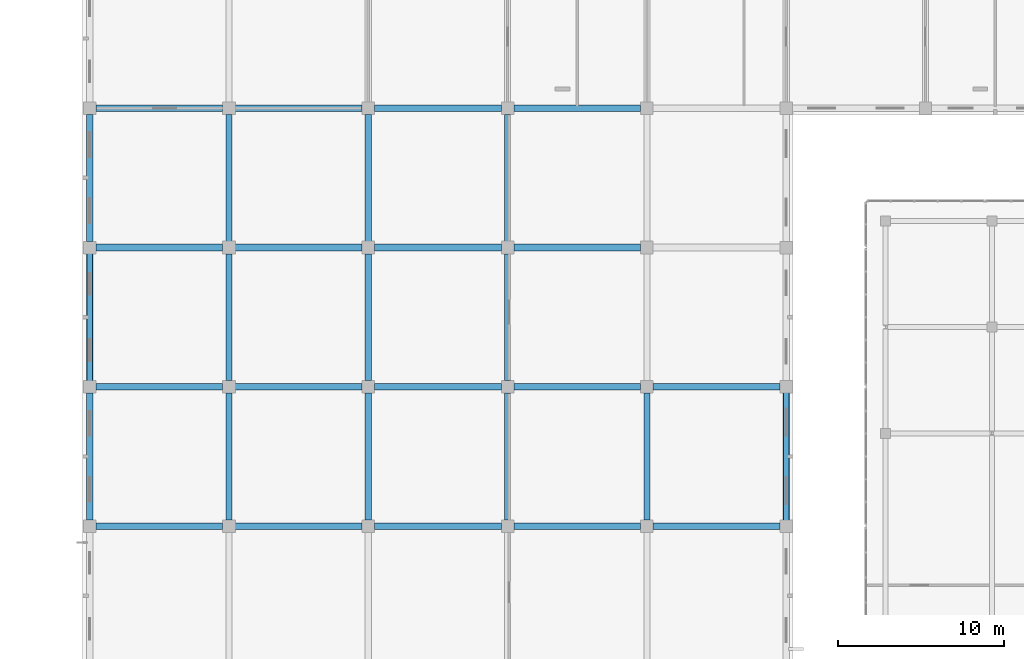
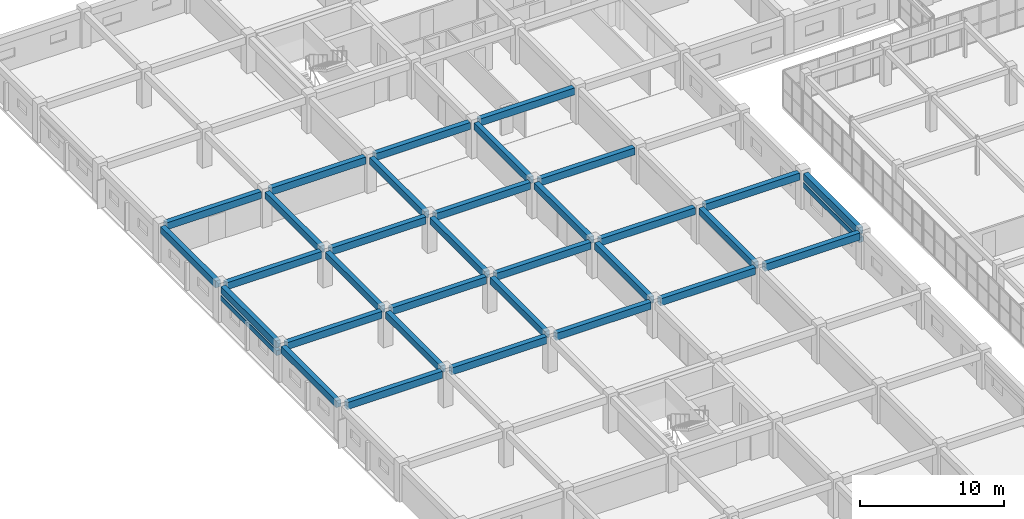
# One storey, part 78 of 200: 34 beams.
"""IFC4 building model written with IfcOpenShell, lengths in metres."""

from ifc_helpers import new_model, si_unit, direction, frame, origin, origin_2d, place, context, subcontext, project, spatial, rectangle, extrude, material, material_profile, profile_set, type_object, element, save


model = new_model("IFC4")

# Units and contexts
model_context = context("Model", 3, precision=1e-05, world=origin(), true_north=direction((0.0, 1.0)))
body_context = subcontext(model_context, "Body", "Model", "MODEL_VIEW")
ifc_project = project(units=[si_unit("LENGTHUNIT", "METRE"), si_unit("AREAUNIT", "SQUARE_METRE"), si_unit("VOLUMEUNIT", "CUBIC_METRE"), si_unit("PLANEANGLEUNIT", "RADIAN"), si_unit("MASSUNIT", "GRAM", prefix="KILO")], contexts=[model_context])

# Site, building, storey
site_placement = place(None, origin())
site = spatial("IfcSite", under=ifc_project, at=site_placement, CompositionType="ELEMENT")
building_placement = place(site_placement, origin())
building = spatial("IfcBuilding", under=site, at=building_placement, Name="Trelvath General Hospital", CompositionType="ELEMENT")
storey_placement = place(building_placement, frame((0.0, 0.0, 4.800048828125)))
storey = spatial("IfcBuildingStorey", under=building, at=storey_placement, Name="L01", CompositionType="ELEMENT", Elevation=4.800048828125)

# Beams
ifc_material_1 = material(Name="Concrete C35/45", Category="concrete")
ifc_material_profile_1 = material_profile(ifc_material_1, rectangle(XDim=0.3798828125, YDim=0.580078125, at=origin_2d()), Name="RCB380x580")
ifc_profile_set_1 = profile_set([ifc_material_profile_1], Name="Concrete C35/45")
beam_type_1 = type_object("IfcBeamType", Name="Beam RC380x580", PredefinedType="BEAM", material=ifc_profile_set_1)
for number, where, z_axis, x_axis, name in (
    (1, (0.0, 67.570068359375, 2.72998046875), (0.0, 1.0, 0.0), (-1.0, 0.0, 0.0), "Grid Beam BY-100I"),
    (2, (0.0, 75.969970703125, 2.72998046875), (0.0, 1.0, 0.0), (-1.0, 0.0, 0.0), "Grid Beam BY-100J"),
    (3, (0.0, 84.3701171875, 2.72998046875), (0.0, 1.0, 0.0), (-1.0, 0.0, 0.0), "Grid Beam BY-100K"),
):
    element("IfcBeam", number, at=place(storey_placement, frame(where, z_axis=z_axis, x_axis=x_axis)), inside=storey, type_object=beam_type_1, Name=name, PredefinedType="BEAM", context=body_context, shape_type="SweptSolid", body=[
        extrude(rectangle(XDim=0.3798828125, YDim=0.580078125, at=origin_2d()), origin(), (0.0, 0.0, 1.0), 7.659912109375),
    ])
beam_1_placement = place(storey_placement, frame((8.39990234375, 67.574951171875, 2.72998046875), z_axis=(0.0, 1.0, 0.0), x_axis=(-1.0, 0.0, 0.0)))
element("IfcBeam", 4, at=beam_1_placement, inside=storey, type_object=beam_type_1, Name="Grid Beam BY-101I", PredefinedType="BEAM", context=body_context, shape_type="SweptSolid", body=[
    extrude(rectangle(XDim=0.3798828125, YDim=0.580078125, at=origin_2d()), origin(), (0.0, 0.0, 1.0), 7.650146484375),
])
for number, where, z_axis, x_axis, name in (
    (5, (8.39990234375, 75.97509765625, 2.72998046875), (0.0, 1.0, 0.0), (-1.0, 0.0, 0.0), "Grid Beam BY-101J"),
    (6, (8.39990234375, 84.375, 2.72998046875), (0.0, 1.0, 0.0), (-1.0, 0.0, 0.0), "Grid Beam BY-101K"),
):
    element("IfcBeam", number, at=place(storey_placement, frame(where, z_axis=z_axis, x_axis=x_axis)), inside=storey, type_object=beam_type_1, Name=name, PredefinedType="BEAM", context=body_context, shape_type="SweptSolid", body=[
        extrude(rectangle(XDim=0.3798828125, YDim=0.580078125, at=origin_2d()), origin(), (0.0, 0.0, 1.0), 7.64990234375),
    ])
beam_2_placement = place(storey_placement, frame((16.800048828125, 67.574951171875, 2.72998046875), z_axis=(0.0, 1.0, 0.0), x_axis=(-1.0, 0.0, 0.0)))
element("IfcBeam", 7, at=beam_2_placement, inside=storey, type_object=beam_type_1, Name="Grid Beam BY-102I", PredefinedType="BEAM", context=body_context, shape_type="SweptSolid", body=[
    extrude(rectangle(XDim=0.3798828125, YDim=0.580078125, at=origin_2d()), origin(), (0.0, 0.0, 1.0), 7.650146484375),
])
for number, where, z_axis, x_axis, name in (
    (8, (16.800048828125, 75.97509765625, 2.72998046875), (0.0, 1.0, 0.0), (-1.0, 0.0, 0.0), "Grid Beam BY-102J"),
    (9, (16.800048828125, 84.375, 2.72998046875), (0.0, 1.0, 0.0), (-1.0, 0.0, 0.0), "Grid Beam BY-102K"),
):
    element("IfcBeam", number, at=place(storey_placement, frame(where, z_axis=z_axis, x_axis=x_axis)), inside=storey, type_object=beam_type_1, Name=name, PredefinedType="BEAM", context=body_context, shape_type="SweptSolid", body=[
        extrude(rectangle(XDim=0.3798828125, YDim=0.580078125, at=origin_2d()), origin(), (0.0, 0.0, 1.0), 7.64990234375),
    ])
beam_3_placement = place(storey_placement, frame((25.199951171875, 67.574951171875, 2.72998046875), z_axis=(0.0, 1.0, 0.0), x_axis=(-1.0, 0.0, 0.0)))
element("IfcBeam", 10, at=beam_3_placement, inside=storey, type_object=beam_type_1, Name="Grid Beam BY-103I", PredefinedType="BEAM", context=body_context, shape_type="SweptSolid", body=[
    extrude(rectangle(XDim=0.3798828125, YDim=0.580078125, at=origin_2d()), origin(), (0.0, 0.0, 1.0), 7.650146484375),
])
for number, where, z_axis, x_axis, name in (
    (11, (25.199951171875, 75.97509765625, 2.72998046875), (0.0, 1.0, 0.0), (-1.0, 0.0, 0.0), "Grid Beam BY-103J"),
    (12, (25.199951171875, 84.375, 2.72998046875), (0.0, 1.0, 0.0), (-1.0, 0.0, 0.0), "Grid Beam BY-103K"),
):
    element("IfcBeam", number, at=place(storey_placement, frame(where, z_axis=z_axis, x_axis=x_axis)), inside=storey, type_object=beam_type_1, Name=name, PredefinedType="BEAM", context=body_context, shape_type="SweptSolid", body=[
        extrude(rectangle(XDim=0.3798828125, YDim=0.580078125, at=origin_2d()), origin(), (0.0, 0.0, 1.0), 7.64990234375),
    ])
beam_4_placement = place(storey_placement, frame((33.60009765625, 67.574951171875, 2.72998046875), z_axis=(0.0, 1.0, 0.0), x_axis=(-1.0, 0.0, 0.0)))
element("IfcBeam", 13, at=beam_4_placement, inside=storey, type_object=beam_type_1, Name="Grid Beam BY-104I", PredefinedType="BEAM", context=body_context, shape_type="SweptSolid", body=[
    extrude(rectangle(XDim=0.3798828125, YDim=0.580078125, at=origin_2d()), origin(), (0.0, 0.0, 1.0), 7.650146484375),
])
beam_5_placement = place(storey_placement, frame((42.0, 67.570068359375, 2.72998046875), z_axis=(0.0, 1.0, 0.0), x_axis=(-1.0, 0.0, 0.0)))
element("IfcBeam", 14, at=beam_5_placement, inside=storey, type_object=beam_type_1, Name="Grid Beam BY-105I", PredefinedType="BEAM", context=body_context, shape_type="SweptSolid", body=[
    extrude(rectangle(XDim=0.3798828125, YDim=0.580078125, at=origin_2d()), origin(), (0.0, 0.0, 1.0), 7.659912109375),
])
ifc_material_2 = material(Name="Concrete C35/45", Category="concrete")
ifc_material_profile_2 = material_profile(ifc_material_2, rectangle(XDim=0.39990234375, YDim=0.60009765625, at=origin_2d()), Name="RCB400x600")
ifc_profile_set_2 = profile_set([ifc_material_profile_2], Name="Concrete C35/45")
beam_type_2 = type_object("IfcBeamType", Name="Beam RC400x600", PredefinedType="BEAM", material=ifc_profile_set_2)
for number, where, z_axis, x_axis, name in (
    (15, (0.3701171875, 67.199951171875, 2.719970703125), (1.0, 0.0, 0.0), (0.0, 1.0, 0.0), "Grid Beam BX-100I"),
    (16, (0.3701171875, 75.60009765625, 2.719970703125), (1.0, 0.0, 0.0), (0.0, 1.0, 0.0), "Grid Beam BX-100J"),
    (17, (0.3701171875, 84.0, 2.719970703125), (1.0, 0.0, 0.0), (0.0, 1.0, 0.0), "Grid Beam BX-100K"),
    (18, (0.3701171875, 92.39990234375, 2.719970703125), (1.0, 0.0, 0.0), (0.0, 1.0, 0.0), "Grid Beam BX-100L"),
):
    element("IfcBeam", number, at=place(storey_placement, frame(where, z_axis=z_axis, x_axis=x_axis)), inside=storey, type_object=beam_type_2, Name=name, PredefinedType="BEAM", context=body_context, shape_type="SweptSolid", body=[
        extrude(rectangle(XDim=0.39990234375, YDim=0.60009765625, at=origin_2d()), origin(), (0.0, 0.0, 1.0), 7.65478515625),
    ])
for number, where, z_axis, x_axis, name in (
    (19, (8.77490234375, 67.199951171875, 2.719970703125), (1.0, 0.0, 0.0), (0.0, 1.0, 0.0), "Grid Beam BX-101I"),
    (20, (8.77490234375, 75.60009765625, 2.719970703125), (1.0, 0.0, 0.0), (0.0, 1.0, 0.0), "Grid Beam BX-101J"),
    (21, (8.77490234375, 84.0, 2.719970703125), (1.0, 0.0, 0.0), (0.0, 1.0, 0.0), "Grid Beam BX-101K"),
    (22, (8.77490234375, 92.39990234375, 2.719970703125), (1.0, 0.0, 0.0), (0.0, 1.0, 0.0), "Grid Beam BX-101L"),
):
    element("IfcBeam", number, at=place(storey_placement, frame(where, z_axis=z_axis, x_axis=x_axis)), inside=storey, type_object=beam_type_2, Name=name, PredefinedType="BEAM", context=body_context, shape_type="SweptSolid", body=[
        extrude(rectangle(XDim=0.39990234375, YDim=0.60009765625, at=origin_2d()), origin(), (0.0, 0.0, 1.0), 7.650146484375),
    ])
for number, where, z_axis, x_axis, name in (
    (23, (17.175048828125, 67.199951171875, 2.719970703125), (1.0, 0.0, 0.0), (0.0, 1.0, 0.0), "Grid Beam BX-102I"),
    (24, (17.175048828125, 75.60009765625, 2.719970703125), (1.0, 0.0, 0.0), (0.0, 1.0, 0.0), "Grid Beam BX-102J"),
    (25, (17.175048828125, 84.0, 2.719970703125), (1.0, 0.0, 0.0), (0.0, 1.0, 0.0), "Grid Beam BX-102K"),
    (26, (17.175048828125, 92.39990234375, 2.719970703125), (1.0, 0.0, 0.0), (0.0, 1.0, 0.0), "Grid Beam BX-102L"),
):
    element("IfcBeam", number, at=place(storey_placement, frame(where, z_axis=z_axis, x_axis=x_axis)), inside=storey, type_object=beam_type_2, Name=name, PredefinedType="BEAM", context=body_context, shape_type="SweptSolid", body=[
        extrude(rectangle(XDim=0.39990234375, YDim=0.60009765625, at=origin_2d()), origin(), (0.0, 0.0, 1.0), 7.64990234375),
    ])
for number, where, z_axis, x_axis, name in (
    (27, (25.574951171875, 67.199951171875, 2.719970703125), (1.0, 0.0, 0.0), (0.0, 1.0, 0.0), "Grid Beam BX-103I"),
    (28, (25.574951171875, 75.60009765625, 2.719970703125), (1.0, 0.0, 0.0), (0.0, 1.0, 0.0), "Grid Beam BX-103J"),
    (29, (25.574951171875, 84.0, 2.719970703125), (1.0, 0.0, 0.0), (0.0, 1.0, 0.0), "Grid Beam BX-103K"),
    (30, (25.574951171875, 92.39990234375, 2.719970703125), (1.0, 0.0, 0.0), (0.0, 1.0, 0.0), "Grid Beam BX-103L"),
):
    element("IfcBeam", number, at=place(storey_placement, frame(where, z_axis=z_axis, x_axis=x_axis)), inside=storey, type_object=beam_type_2, Name=name, PredefinedType="BEAM", context=body_context, shape_type="SweptSolid", body=[
        extrude(rectangle(XDim=0.39990234375, YDim=0.60009765625, at=origin_2d()), origin(), (0.0, 0.0, 1.0), 7.650146484375),
    ])
for number, where, z_axis, x_axis, name in (
    (31, (33.97509765625, 67.199951171875, 2.719970703125), (1.0, 0.0, 0.0), (0.0, 1.0, 0.0), "Grid Beam BX-104I"),
    (32, (33.97509765625, 75.60009765625, 2.719970703125), (1.0, 0.0, 0.0), (0.0, 1.0, 0.0), "Grid Beam BX-104J"),
):
    element("IfcBeam", number, at=place(storey_placement, frame(where, z_axis=z_axis, x_axis=x_axis)), inside=storey, type_object=beam_type_2, Name=name, PredefinedType="BEAM", context=body_context, shape_type="SweptSolid", body=[
        extrude(rectangle(XDim=0.39990234375, YDim=0.60009765625, at=origin_2d()), origin(), (0.0, 0.0, 1.0), 7.65478515625),
    ])
ifc_material_3 = material(Name="Precast concrete C40/50", Category="concrete")
ifc_material_profile_3 = material_profile(ifc_material_3, rectangle(XDim=0.35009765625, YDim=0.419921875, at=origin_2d()), Name="PCL350x420")
ifc_profile_set_3 = profile_set([ifc_material_profile_3], Name="Precast concrete C40/50")
beam_type_3 = type_object("IfcBeamType", Name="Lintel PC350x420", PredefinedType="LINTEL", material=ifc_profile_set_3)
for number, where, z_axis, x_axis, name in (
    (33, (0.0, 75.889892578125, 2.02001953125), (0.0, 1.0, 0.0), (-1.0, 0.0, 0.0), "Precast Window Brow Lintel L01-118"),
    (34, (42.0, 75.31005859375, 2.02001953125), (0.0, -1.0, 0.0), (1.0, 0.0, 0.0), "Precast Window Brow Lintel L01-136"),
):
    element("IfcBeam", number, at=place(storey_placement, frame(where, z_axis=z_axis, x_axis=x_axis)), inside=storey, type_object=beam_type_3, Name=name, PredefinedType="LINTEL", context=body_context, shape_type="SweptSolid", body=[
        extrude(rectangle(XDim=0.35009765625, YDim=0.419921875, at=origin_2d()), origin(), (0.0, 0.0, 1.0), 7.820068359375),
    ])

save(model, "model.ifc")
